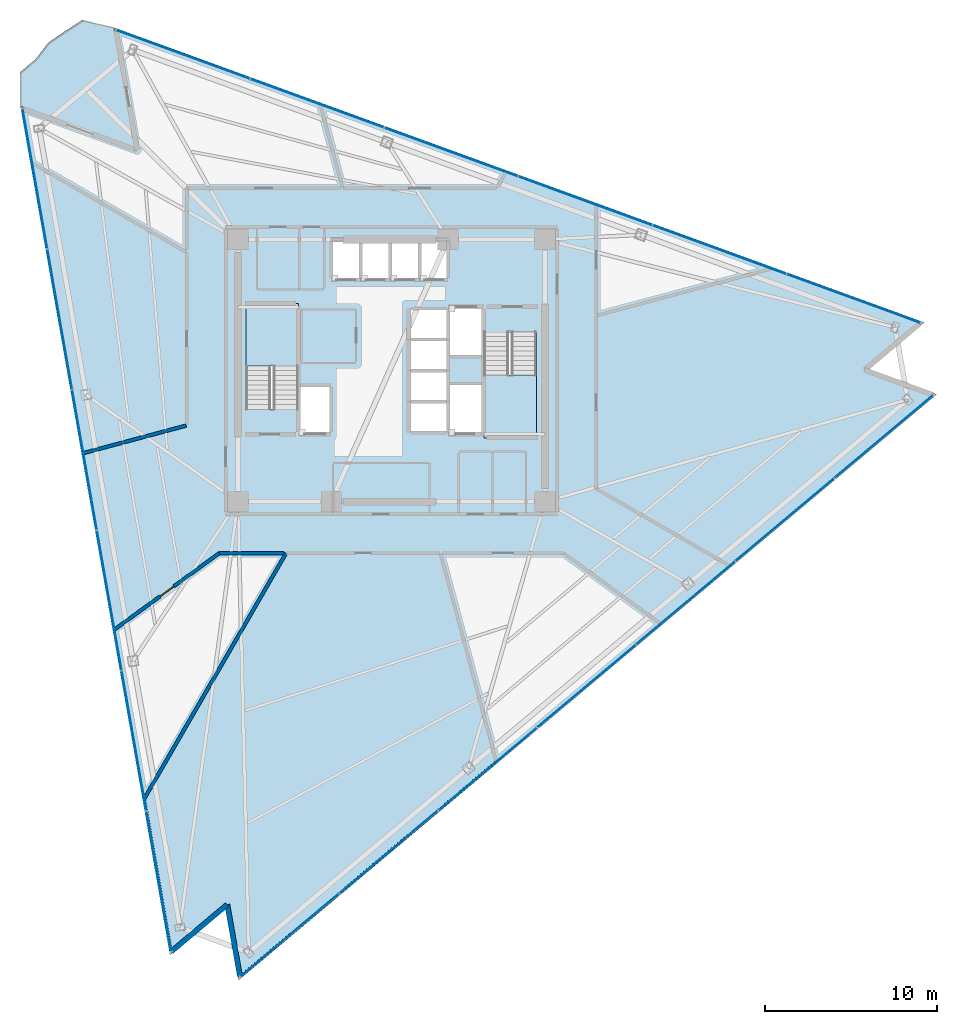
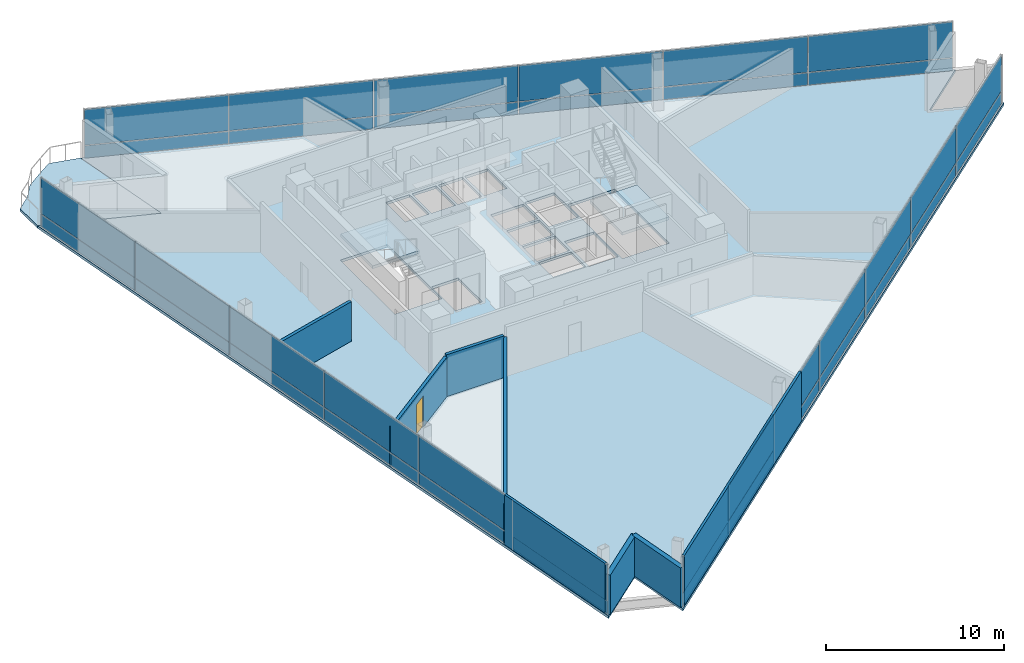
# One storey, part 9 of 15: 38 plates, 8 walls, 4 slabs, 1 door, 1 opening, 5 elements without a shape of their own.
"""IFC4 building model written with IfcOpenShell, lengths in metres."""

import ifcopenshell
import ifcopenshell.guid

model = None  # the IFC model being written
_history = None  # IfcOwnerHistory: only IFC2X3 demands one
_inside = {}  # id of a spatial element -> (the spatial element, [elements in it])
_under = {}  # id of a project, library or spatial element -> (it, [spatial elements below it])
_declared = {}  # id of a project -> (the project, [libraries it declares])
_typed = {}  # id of a type object -> (the type object, [elements of that type])
_made_of = {}  # id of a material, layer set ... -> (it, [elements and type objects made of it])


def new_model(schema):
    """Start an empty IFC model of exactly this schema.

    Asked for "IFC4X3", IfcOpenShell would pick the latest addendum, in which some entities
    have other attributes; the version numbers below select the first issue.
    IFC2X3 requires an IfcOwnerHistory on every rooted entity: one is made here for all.
    """
    global model, _history
    if schema == "IFC4X3":
        model = ifcopenshell.file(schema_version=(4, 3, 0, 0))
    else:
        model = ifcopenshell.file(schema=schema)
    _inside.clear()
    _under.clear()
    _declared.clear()
    _typed.clear()
    _made_of.clear()
    _history = None
    if model.schema == "IFC2X3":
        org = make("IfcOrganization", Name="unknown")
        user = make(
            "IfcPersonAndOrganization",
            ThePerson=make("IfcPerson", FamilyName="unknown"),
            TheOrganization=org,
        )
        app = make(
            "IfcApplication",
            ApplicationDeveloper=org,
            Version="unknown",
            ApplicationFullName="unknown",
            ApplicationIdentifier="unknown",
        )
        _history = make(
            "IfcOwnerHistory",
            OwningUser=user,
            OwningApplication=app,
            ChangeAction="ADDED",
            CreationDate=0,
        )
    return model


def make(cls, **values):
    """One entity of the class cls with the attributes given. An attribute that is None is left unset."""
    return model.create_entity(
        cls, **{name: value for name, value in values.items() if value is not None}
    )


def rooted(cls, **values):
    """An entity with a GlobalId (a new one), such as an element, a storey or a relation."""
    return make(cls, GlobalId=ifcopenshell.guid.new(), OwnerHistory=_history, **values)


def si_unit(unit_type, name, prefix=None):
    """IfcSIUnit, for example si_unit("LENGTHUNIT", "METRE", prefix="MILLI")."""
    return make("IfcSIUnit", UnitType=unit_type, Prefix=prefix, Name=name)


def assignment(units):
    """IfcUnitAssignment: the units of a project."""
    return None if units is None else make("IfcUnitAssignment", Units=units)


def point(xyz):
    """IfcCartesianPoint."""
    return None if xyz is None else make("IfcCartesianPoint", Coordinates=xyz)


def direction(xyz):
    """IfcDirection."""
    return None if xyz is None else make("IfcDirection", DirectionRatios=xyz)


def frame(location, z_axis=None, x_axis=None):
    """IfcAxis2Placement3D, a coordinate frame: its origin and axes. An axis left out is left unset."""
    return make(
        "IfcAxis2Placement3D",
        Location=point(location),
        Axis=direction(z_axis),
        RefDirection=direction(x_axis),
    )


def frame_2d(location, x_axis=None):
    """IfcAxis2Placement2D, a coordinate frame in the plane: its origin and x axis."""
    return make(
        "IfcAxis2Placement2D", Location=point(location), RefDirection=direction(x_axis)
    )


def origin():
    """The frame at (0, 0, 0) with its axes left unset."""
    return frame((0.0, 0.0, 0.0))


def origin_2d():
    """The frame at (0, 0) in the plane with its x axis left unset."""
    return frame_2d((0.0, 0.0))


def place(relative_to, where):
    """IfcLocalPlacement: puts the frame where relative to a parent placement (None: the world)."""
    return make(
        "IfcLocalPlacement", PlacementRelTo=relative_to, RelativePlacement=where
    )


def context(
    kind, dimensions, precision=None, world=None, true_north=None, identifier=None
):
    """IfcGeometricRepresentationContext, for example the 3D "Model" context."""
    return make(
        "IfcGeometricRepresentationContext",
        ContextIdentifier=identifier,
        ContextType=kind,
        CoordinateSpaceDimension=dimensions,
        Precision=precision,
        WorldCoordinateSystem=world,
        TrueNorth=true_north,
    )


def subcontext(parent, identifier, kind, view, scale=None):
    """IfcGeometricRepresentationSubContext, for example "Body" below "Model"."""
    return make(
        "IfcGeometricRepresentationSubContext",
        ContextIdentifier=identifier,
        ContextType=kind,
        ParentContext=parent,
        TargetScale=scale,
        TargetView=view,
    )


def project(units=None, contexts=None):
    """IfcProject with its units and contexts."""
    return rooted(
        "IfcProject",
        Name="project",
        RepresentationContexts=contexts,
        UnitsInContext=assignment(units),
    )


def spatial(cls, under=None, at=None, **own):
    """A site, building, storey or space (cls), placed at a placement, below another one or the project."""
    s = rooted(cls, ObjectPlacement=at, **own)
    if under is not None:
        _under.setdefault(under.id(), (under, []))[1].append(s)
    return s


def polyline(points):
    """IfcPolyline through the points."""
    return make("IfcPolyline", Points=[point(p) for p in points])


def profile(cls, at=None, kind="AREA", **sizes):
    """A parametric profile (cls). Its sizes go by their IFC names, for example OverallWidth=200.0."""
    return make(cls, ProfileType=kind, Position=at, **sizes)


def rectangle(**sizes):
    """IfcRectangleProfileDef."""
    return profile("IfcRectangleProfileDef", **sizes)


def outline(outer, holes=None, kind="AREA"):
    """IfcArbitraryClosedProfileDef: a profile drawn as a closed curve; with holes, ...WithVoids."""
    if holes is None:
        return make("IfcArbitraryClosedProfileDef", ProfileType=kind, OuterCurve=outer)
    return make(
        "IfcArbitraryProfileDefWithVoids",
        ProfileType=kind,
        OuterCurve=outer,
        InnerCurves=holes,
    )


def extrude(swept, where, along, depth):
    """IfcExtrudedAreaSolid: the profile swept, set in the frame where, extruded along a direction by depth."""
    return make(
        "IfcExtrudedAreaSolid",
        SweptArea=swept,
        Position=where,
        ExtrudedDirection=direction(along),
        Depth=depth,
    )


def shape(context_of_items, identifier, shape_type, items):
    """IfcShapeRepresentation: the items that make up one representation, for example the "Body"."""
    return make(
        "IfcShapeRepresentation",
        ContextOfItems=context_of_items,
        RepresentationIdentifier=identifier,
        RepresentationType=shape_type,
        Items=items,
    )


def material(Name=None, Category=None):
    """IfcMaterial."""
    return make("IfcMaterial", Name=Name, Category=Category)


def layer(
    of_material, thickness, ventilated=None, Name=None, Category=None, Priority=None
):
    """IfcMaterialLayer: one layer of a wall or slab, of a material (None: an air gap)."""
    return make(
        "IfcMaterialLayer",
        Material=of_material,
        LayerThickness=thickness,
        IsVentilated=ventilated,
        Name=Name,
        Category=Category,
        Priority=Priority,
    )


def layer_set(layers, Name=None):
    """IfcMaterialLayerSet."""
    return make("IfcMaterialLayerSet", MaterialLayers=layers, LayerSetName=Name)


def made_of(thing, what):
    """Note that an element or type object is made of a material, layer set ...; save() writes the relation."""
    if what is not None:
        _made_of.setdefault(what.id(), (what, []))[1].append(thing)
    return thing


def type_object(cls, material=None, **own):
    """A type object (cls), such as IfcWallType, which elements share."""
    return made_of(rooted(cls, **own), material)


def element(
    cls,
    number,
    at=None,
    inside=None,
    cuts=None,
    type_object=None,
    material=None,
    context=None,
    identifier="Body",
    shape_type=None,
    held_by="IfcProductDefinitionShape",
    body=None,
    shapes=None,
    **own,
):
    """One element of the class cls, such as IfcWall. Its Tag is "e" and its number.

    at: its placement. inside: the storey or other place that contains it. cuts: it is an
    opening in that element (IfcRelVoidsElement). A single representation is given by context,
    identifier, shape_type and body (its items); several are given by shapes. held_by: the class
    of the entity that holds the representations. save() writes the other relations.
    """
    e = rooted(cls, Tag="e%d" % number, ObjectPlacement=at, **own)
    if body is not None:
        shapes = [shape(context, identifier, shape_type, body)]
    if shapes is not None:
        e.Representation = make(held_by, Representations=shapes)
    if inside is not None:
        _inside.setdefault(inside.id(), (inside, []))[1].append(e)
    if cuts is not None:
        rooted(
            "IfcRelVoidsElement", RelatingBuildingElement=cuts, RelatedOpeningElement=e
        )
    if type_object is not None:
        _typed.setdefault(type_object.id(), (type_object, []))[1].append(e)
    return made_of(e, material)


def fill(opening, filler):
    """IfcRelFillsElement: the door or window that sits in an opening."""
    return rooted(
        "IfcRelFillsElement",
        RelatingOpeningElement=opening,
        RelatedBuildingElement=filler,
    )


def aggregate(whole, parts):
    """IfcRelAggregates: a whole, such as a stair, and the parts it consists of."""
    return rooted("IfcRelAggregates", RelatingObject=whole, RelatedObjects=parts)


def save(model, path):
    """Write the relations noted so far, then the file.

    IfcRelAggregates (storeys below a building ...), IfcRelContainedInSpatialStructure (elements
    in a storey), IfcRelDefinesByType, IfcRelAssociatesMaterial and IfcRelDeclares: one each for
    every whole, place, type object, material and project.
    """
    for whole, parts in _under.values():
        aggregate(whole, parts)
    for where, things in _inside.values():
        rooted(
            "IfcRelContainedInSpatialStructure",
            RelatedElements=things,
            RelatingStructure=where,
        )
    for kind, things in _typed.values():
        rooted("IfcRelDefinesByType", RelatedObjects=things, RelatingType=kind)
    for what, things in _made_of.values():
        rooted("IfcRelAssociatesMaterial", RelatedObjects=things, RelatingMaterial=what)
    for by, libraries in _declared.values():
        rooted("IfcRelDeclares", RelatingContext=by, RelatedDefinitions=libraries)
    model.write(path)


model = new_model("IFC4")

# Units and contexts
model_context = context("Model", 3, precision=1e-05, world=origin(), true_north=direction((0.0, 1.0)))
body_context = subcontext(model_context, "Body", "Model", "MODEL_VIEW")
ifc_project = project(units=[si_unit("LENGTHUNIT", "METRE"), si_unit("AREAUNIT", "SQUARE_METRE"), si_unit("VOLUMEUNIT", "CUBIC_METRE"), si_unit("PLANEANGLEUNIT", "RADIAN"), si_unit("MASSUNIT", "GRAM", prefix="KILO")], contexts=[model_context])

# Site, building, storey
site_placement = place(None, origin())
site = spatial("IfcSite", under=ifc_project, at=site_placement, CompositionType="ELEMENT")
building_placement = place(site_placement, origin())
building = spatial("IfcBuilding", under=site, at=building_placement, Name="Tharavind Bronze Gate", CompositionType="ELEMENT")
storey_placement = place(building_placement, frame((0.0, 0.0, 177.699951171875)))
storey = spatial("IfcBuildingStorey", under=building, at=storey_placement, Name="L45", CompositionType="ELEMENT", Elevation=177.699951171875)

# Curtain wall, plates
ifc_material_1 = material(Name="Anodised Bronze Aluminium", Category="aluminium")
ifc_layer_1 = layer(ifc_material_1, 0.219970703125)
ifc_layer_set_1 = layer_set([ifc_layer_1], Name="Anodised Bronze Aluminium")
curtain_wall_type = type_object("IfcCurtainWallType", Name="UNITISED CURTAIN WALL MID OFFICE", PredefinedType="USERDEFINED", material=ifc_layer_set_1)
curtain_wall_1_placement = place(storey_placement, origin())
curtain_wall_1 = element("IfcCurtainWall", 1, at=curtain_wall_1_placement, inside=storey, type_object=curtain_wall_type, Name="L45 unitised curtain wall mid office CW-L45-S1", ObjectType="UNITISED CURTAIN WALL", PredefinedType="USERDEFINED")
ifc_material_2 = material(Name="Patinated Bronze Alloy Sheet", Category="bronze")
ifc_layer_2 = layer(ifc_material_2, 0.01611328125)
ifc_layer_set_2 = layer_set([ifc_layer_2], Name="Patinated Bronze Alloy Sheet")
plate_type_1 = type_object("IfcPlateType", Name="BRONZE SPANDREL CLADDING PANEL 16", PredefinedType="CURTAIN_PANEL", material=ifc_layer_set_2)
plate_1_placement = place(storey_placement, frame((-20.678466796875, 11.118408203125, 0.0263671875), z_axis=(0.0, 0.0, 1.0), x_axis=(0.173648177667, -0.984807753012, 0.0)))
plate_1 = element("IfcPlate", 2, at=plate_1_placement, type_object=plate_type_1, Name="CW-L45-S1 bronze spandrel panel 1", PredefinedType="CURTAIN_PANEL", context=body_context, shape_type="SweptSolid", body=[
    extrude(rectangle(XDim=8.220458984375, YDim=0.01611328125, at=origin_2d()), origin(), (0.0, 0.0, 1.0), 0.846923828125),
])
plate_2_placement = place(storey_placement, frame((-19.24169921875, 2.970703125, 0.0263671875), z_axis=(0.0, 0.0, 1.0), x_axis=(0.173648177667, -0.984807753012, 0.0)))
plate_2 = element("IfcPlate", 3, at=plate_2_placement, type_object=plate_type_1, Name="CW-L45-S1 bronze spandrel panel 2", PredefinedType="CURTAIN_PANEL", context=body_context, shape_type="SweptSolid", body=[
    extrude(rectangle(XDim=8.220458984375, YDim=0.01611328125, at=origin_2d()), origin(), (0.0, 0.0, 1.0), 0.846923828125),
])
plate_3_placement = place(storey_placement, frame((-17.80517578125, -5.177001953125, 0.0263671875), z_axis=(0.0, 0.0, 1.0), x_axis=(0.173648177667, -0.984807753012, 0.0)))
plate_3 = element("IfcPlate", 4, at=plate_3_placement, type_object=plate_type_1, Name="CW-L45-S1 bronze spandrel panel 3", PredefinedType="CURTAIN_PANEL", context=body_context, shape_type="SweptSolid", body=[
    extrude(rectangle(XDim=8.220458984375, YDim=0.01611328125, at=origin_2d()), origin(), (0.0, 0.0, 1.0), 0.846923828125),
])
plate_4_placement = place(storey_placement, frame((-16.368408203125, -13.32470703125, 0.0263671875), z_axis=(0.0, 0.0, 1.0), x_axis=(0.173648177667, -0.984807753012, 0.0)))
plate_4 = element("IfcPlate", 5, at=plate_4_placement, type_object=plate_type_1, Name="CW-L45-S1 bronze spandrel panel 4", PredefinedType="CURTAIN_PANEL", context=body_context, shape_type="SweptSolid", body=[
    extrude(rectangle(XDim=8.220458984375, YDim=0.01611328125, at=origin_2d()), origin(), (0.0, 0.0, 1.0), 0.846923828125),
])
plate_5_placement = place(storey_placement, frame((-14.931884765625, -21.472412109375, 0.0263671875), z_axis=(0.0, 0.0, 1.0), x_axis=(0.173648177667, -0.984807753012, 0.0)))
plate_5 = element("IfcPlate", 6, at=plate_5_placement, type_object=plate_type_1, Name="CW-L45-S1 bronze spandrel panel 5", PredefinedType="CURTAIN_PANEL", context=body_context, shape_type="SweptSolid", body=[
    extrude(rectangle(XDim=8.220458984375, YDim=0.01611328125, at=origin_2d()), origin(), (0.0, 0.0, 1.0), 0.846923828125),
])
plate_6_placement = place(storey_placement, frame((-13.4951171875, -29.6201171875, 0.0263671875), z_axis=(0.0, 0.0, 1.0), x_axis=(0.173648177667, -0.984807753012, 0.0)))
plate_6 = element("IfcPlate", 7, at=plate_6_placement, type_object=plate_type_1, Name="CW-L45-S1 bronze spandrel panel 6", PredefinedType="CURTAIN_PANEL", context=body_context, shape_type="SweptSolid", body=[
    extrude(rectangle(XDim=8.220458984375, YDim=0.01611328125, at=origin_2d()), origin(), (0.0, 0.0, 1.0), 0.846923828125),
])

curtain_wall_2_placement = place(storey_placement, origin())
curtain_wall_2 = element("IfcCurtainWall", 8, at=curtain_wall_2_placement, inside=storey, type_object=curtain_wall_type, Name="L45 unitised curtain wall mid office CW-L45-S2", ObjectType="UNITISED CURTAIN WALL", PredefinedType="USERDEFINED")
plate_7_placement = place(storey_placement, frame((-5.913818359375, -32.737548828125, 0.0263671875), z_axis=(0.0, 0.0, 1.0), x_axis=(0.766043321242, 0.642788946685, 0.0)))
plate_7 = element("IfcPlate", 9, at=plate_7_placement, type_object=plate_type_1, Name="CW-L45-S2 bronze spandrel panel 1", PredefinedType="CURTAIN_PANEL", context=body_context, shape_type="SweptSolid", body=[
    extrude(rectangle(XDim=7.443115234375, YDim=0.01611328125, at=origin_2d()), origin(), (0.0, 0.0, 1.0), 0.846923828125),
])
plate_8_placement = place(storey_placement, frame((-0.171630859375, -27.919189453125, 0.0263671875), z_axis=(0.0, 0.0, 1.0), x_axis=(0.766043321242, 0.642788946685, 0.0)))
plate_8 = element("IfcPlate", 10, at=plate_8_placement, type_object=plate_type_1, Name="CW-L45-S2 bronze spandrel panel 2", PredefinedType="CURTAIN_PANEL", context=body_context, shape_type="SweptSolid", body=[
    extrude(rectangle(XDim=7.443115234375, YDim=0.01611328125, at=origin_2d()), origin(), (0.0, 0.0, 1.0), 0.846923828125),
])
plate_9_placement = place(storey_placement, frame((5.57080078125, -23.100830078125, 0.0263671875), z_axis=(0.0, 0.0, 1.0), x_axis=(0.766043321242, 0.642788946685, 0.0)))
plate_9 = element("IfcPlate", 11, at=plate_9_placement, type_object=plate_type_1, Name="CW-L45-S2 bronze spandrel panel 3", PredefinedType="CURTAIN_PANEL", context=body_context, shape_type="SweptSolid", body=[
    extrude(rectangle(XDim=7.443115234375, YDim=0.01611328125, at=origin_2d()), origin(), (0.0, 0.0, 1.0), 0.846923828125),
])
plate_10_placement = place(storey_placement, frame((11.31298828125, -18.282470703125, 0.0263671875), z_axis=(0.0, 0.0, 1.0), x_axis=(0.766043321242, 0.642788946685, 0.0)))
plate_10 = element("IfcPlate", 12, at=plate_10_placement, type_object=plate_type_1, Name="CW-L45-S2 bronze spandrel panel 4", PredefinedType="CURTAIN_PANEL", context=body_context, shape_type="SweptSolid", body=[
    extrude(rectangle(XDim=7.443115234375, YDim=0.01611328125, at=origin_2d()), origin(), (0.0, 0.0, 1.0), 0.846923828125),
])
plate_11_placement = place(storey_placement, frame((17.055419921875, -13.464111328125, 0.0263671875), z_axis=(0.0, 0.0, 1.0), x_axis=(0.766043321242, 0.642788946685, 0.0)))
plate_11 = element("IfcPlate", 13, at=plate_11_placement, type_object=plate_type_1, Name="CW-L45-S2 bronze spandrel panel 5", PredefinedType="CURTAIN_PANEL", context=body_context, shape_type="SweptSolid", body=[
    extrude(rectangle(XDim=7.443115234375, YDim=0.01611328125, at=origin_2d()), origin(), (0.0, 0.0, 1.0), 0.846923828125),
])
plate_12_placement = place(storey_placement, frame((22.797607421875, -8.645751953125, 0.0263671875), z_axis=(0.0, 0.0, 1.0), x_axis=(0.766043321242, 0.642788946685, 0.0)))
plate_12 = element("IfcPlate", 14, at=plate_12_placement, type_object=plate_type_1, Name="CW-L45-S2 bronze spandrel panel 6", PredefinedType="CURTAIN_PANEL", context=body_context, shape_type="SweptSolid", body=[
    extrude(rectangle(XDim=7.443115234375, YDim=0.01611328125, at=origin_2d()), origin(), (0.0, 0.0, 1.0), 0.846923828125),
])
plate_13_placement = place(storey_placement, frame((28.539794921875, -3.827392578125, 0.0263671875), z_axis=(0.0, 0.0, 1.0), x_axis=(0.766043321242, 0.642788946685, 0.0)))
plate_13 = element("IfcPlate", 15, at=plate_13_placement, type_object=plate_type_1, Name="CW-L45-S2 bronze spandrel panel 7", PredefinedType="CURTAIN_PANEL", context=body_context, shape_type="SweptSolid", body=[
    extrude(rectangle(XDim=7.443115234375, YDim=0.01611328125, at=origin_2d()), origin(), (0.0, 0.0, 1.0), 0.846923828125),
])

curtain_wall_3_placement = place(storey_placement, origin())
curtain_wall_3 = element("IfcCurtainWall", 16, at=curtain_wall_3_placement, inside=storey, type_object=curtain_wall_type, Name="L45 unitised curtain wall mid office CW-L45-S3", ObjectType="UNITISED CURTAIN WALL", PredefinedType="USERDEFINED")
plate_14_placement = place(storey_placement, frame((26.7861328125, 4.18017578125, 0.0263671875), z_axis=(0.0, 0.0, 1.0), x_axis=(-0.939692023847, 0.342021783398, 0.0)))
plate_14 = element("IfcPlate", 17, at=plate_14_placement, type_object=plate_type_1, Name="CW-L45-S3 bronze spandrel panel 1", PredefinedType="CURTAIN_PANEL", context=body_context, shape_type="SweptSolid", body=[
    extrude(rectangle(XDim=8.220458984375, YDim=0.01611328125, at=origin_2d()), origin(), (0.0, 0.0, 1.0), 0.846923828125),
])
plate_15_placement = place(storey_placement, frame((19.01171875, 7.009765625, 0.0263671875), z_axis=(0.0, 0.0, 1.0), x_axis=(-0.939692023847, 0.342021783398, 0.0)))
plate_15 = element("IfcPlate", 18, at=plate_15_placement, type_object=plate_type_1, Name="CW-L45-S3 bronze spandrel panel 2", PredefinedType="CURTAIN_PANEL", context=body_context, shape_type="SweptSolid", body=[
    extrude(rectangle(XDim=8.220458984375, YDim=0.01611328125, at=origin_2d()), origin(), (0.0, 0.0, 1.0), 0.846923828125),
])
plate_16_placement = place(storey_placement, frame((11.2373046875, 9.839599609375, 0.0263671875), z_axis=(0.0, 0.0, 1.0), x_axis=(-0.939692023847, 0.342021783398, 0.0)))
plate_16 = element("IfcPlate", 19, at=plate_16_placement, type_object=plate_type_1, Name="CW-L45-S3 bronze spandrel panel 3", PredefinedType="CURTAIN_PANEL", context=body_context, shape_type="SweptSolid", body=[
    extrude(rectangle(XDim=8.220458984375, YDim=0.01611328125, at=origin_2d()), origin(), (0.0, 0.0, 1.0), 0.846923828125),
])
plate_17_placement = place(storey_placement, frame((3.462890625, 12.669189453125, 0.0263671875), z_axis=(0.0, 0.0, 1.0), x_axis=(-0.939692023847, 0.342021783398, 0.0)))
plate_17 = element("IfcPlate", 20, at=plate_17_placement, type_object=plate_type_1, Name="CW-L45-S3 bronze spandrel panel 4", PredefinedType="CURTAIN_PANEL", context=body_context, shape_type="SweptSolid", body=[
    extrude(rectangle(XDim=8.220458984375, YDim=0.01611328125, at=origin_2d()), origin(), (0.0, 0.0, 1.0), 0.846923828125),
])
plate_18_placement = place(storey_placement, frame((-4.3115234375, 15.498779296875, 0.0263671875), z_axis=(0.0, 0.0, 1.0), x_axis=(-0.939692023847, 0.342021783398, 0.0)))
plate_18 = element("IfcPlate", 21, at=plate_18_placement, type_object=plate_type_1, Name="CW-L45-S3 bronze spandrel panel 5", PredefinedType="CURTAIN_PANEL", context=body_context, shape_type="SweptSolid", body=[
    extrude(rectangle(XDim=8.220458984375, YDim=0.01611328125, at=origin_2d()), origin(), (0.0, 0.0, 1.0), 0.846923828125),
])
plate_19_placement = place(storey_placement, frame((-12.0859375, 18.32861328125, 0.0263671875), z_axis=(0.0, 0.0, 1.0), x_axis=(-0.939692023847, 0.342021783398, 0.0)))
plate_19 = element("IfcPlate", 22, at=plate_19_placement, type_object=plate_type_1, Name="CW-L45-S3 bronze spandrel panel 6", PredefinedType="CURTAIN_PANEL", context=body_context, shape_type="SweptSolid", body=[
    extrude(rectangle(XDim=8.220458984375, YDim=0.01611328125, at=origin_2d()), origin(), (0.0, 0.0, 1.0), 0.846923828125),
])

# Slab
ifc_material_3 = material(Name="Concrete C40/50", Category="concrete")
ifc_layer_3 = layer(ifc_material_3, 0.179931640625)
ifc_layer_set_3 = layer_set([ifc_layer_3], Name="Concrete C40/50")
slab_type_1 = type_object("IfcSlabType", Name="EXTERIOR BALCONY SLAB 180", PredefinedType="FLOOR", material=ifc_layer_set_3)
slab_1_placement = place(storey_placement, frame((0.0, 0.0, -0.179931640625)))
element("IfcSlab", 23, at=slab_1_placement, inside=storey, type_object=slab_type_1, Name="L45 northeast tree balcony slab", PredefinedType="FLOOR", context=body_context, shape_type="SweptSolid", body=[
    extrude(outline(polyline([(-17.92333984375, 20.325927734375), (-18.92236328125, 19.680908203125), (-19.8984375, 19.00830078125), (-20.635009765625, 18.050537109375), (-21.5390625, 17.2919921875), (-21.525390625, 15.345458984375), (-14.872314453125, 12.924072265625), (-16.101806640625, 19.896484375), (-17.92333984375, 20.325927734375)])), origin(), (0.0, 0.0, 1.0), 0.179931640625),
])

# Stair, slab
stair_type = type_object("IfcStairType", Name="CORE HALF TURN STAIR 1450", PredefinedType="HALF_TURN_STAIR", material=ifc_material_3)
stair_1_placement = place(storey_placement, origin())
stair_1 = element("IfcStair", 24, at=stair_1_placement, inside=storey, type_object=stair_type, Name="L45 Protected Exit Stair ST1", PredefinedType="HALF_TURN_STAIR")
ifc_layer_4 = layer(ifc_material_3, 0.199951171875)
ifc_layer_set_4 = layer_set([ifc_layer_4], Name="Concrete C40/50")
slab_type_2 = type_object("IfcSlabType", Name="STAIR LANDING SLAB 200", PredefinedType="LANDING", material=ifc_layer_set_4)
slab_2_placement = place(storey_placement, frame((0.0, 0.0, 1.60009765625)))
slab_2 = element("IfcSlab", 25, at=slab_2_placement, type_object=slab_type_2, Name="ST1 landing 1", PredefinedType="LANDING", context=body_context, shape_type="SweptSolid", body=[
    extrude(outline(polyline([(-5.39990234375, 0.27001953125), (-5.39990234375, 3.89990234375), (-8.449951171875, 3.89990234375), (-8.449951171875, 0.27001953125), (-5.39990234375, 0.27001953125)])), origin(), (0.0, 0.0, 1.0), 0.199951171875),
])
aggregate(stair_1, [slab_2])

stair_2_placement = place(storey_placement, origin())
stair_2 = element("IfcStair", 26, at=stair_2_placement, inside=storey, type_object=stair_type, Name="L45 Protected Exit Stair ST2", PredefinedType="HALF_TURN_STAIR")
slab_3_placement = place(storey_placement, frame((0.0, 0.0, 1.60009765625)))
slab_3 = element("IfcSlab", 27, at=slab_3_placement, type_object=slab_type_2, Name="ST2 landing 1", PredefinedType="LANDING", context=body_context, shape_type="SweptSolid", body=[
    extrude(outline(polyline([(5.35009765625, -0.27001953125), (5.35009765625, -3.89990234375), (8.39990234375, -3.89990234375), (8.39990234375, -0.27001953125), (5.35009765625, -0.27001953125)])), origin(), (0.0, 0.0, 1.0), 0.199951171875),
])
aggregate(stair_2, [slab_3])

# Slab
ifc_layer_5 = layer(ifc_material_3, 0.179931640625)
ifc_layer_set_5 = layer_set([ifc_layer_5], Name="Concrete C40/50")
slab_type_3 = type_object("IfcSlabType", Name="STRUCTURAL FLOOR SLAB 180", PredefinedType="FLOOR", material=ifc_layer_set_5)
slab_4_placement = place(storey_placement, frame((0.0, 0.0, -0.179931640625)))
element("IfcSlab", 28, at=slab_4_placement, inside=storey, type_object=slab_type_3, Name="L45 main structural floor slab", PredefinedType="FLOOR", context=body_context, shape_type="SweptSolid", body=[
    extrude(outline(polyline([(-16.101806640625, 19.896484375), (-14.872314453125, 12.924072265625), (-21.525390625, 15.345458984375), (-12.84521484375, -33.881591796875), (-9.591064453125, -31.151123046875), (-8.853515625, -35.334716796875), (31.60791015625, -1.38330078125), (27.6162109375, 0.069580078125), (30.870361328125, 2.800048828125), (-16.101806640625, 19.896484375)]), holes=[polyline([(-5.39990234375, -2.215087890625), (-5.39990234375, 3.89990234375), (-8.449951171875, 3.89990234375), (-8.449951171875, -2.215087890625), (-5.39990234375, -2.215087890625)]), polyline([(5.35009765625, 2.215087890625), (5.35009765625, -3.89990234375), (8.39990234375, -3.89990234375), (8.39990234375, 2.215087890625), (5.35009765625, 2.215087890625)]), polyline([(-3.419921875, 5.330078125), (-1.867431640625, 5.330078125), (-1.867431640625, 7.52001953125), (-3.419921875, 7.52001953125), (-3.419921875, 5.330078125)]), polyline([(-1.70751953125, 5.330078125), (-0.155029296875, 5.330078125), (-0.155029296875, 7.52001953125), (-1.70751953125, 7.52001953125), (-1.70751953125, 5.330078125)]), polyline([(0.0048828125, 5.330078125), (1.5576171875, 5.330078125), (1.5576171875, 7.52001953125), (0.0048828125, 7.52001953125), (0.0048828125, 5.330078125)]), polyline([(1.717529296875, 5.330078125), (3.199951171875, 5.330078125), (3.199951171875, 7.52001953125), (1.717529296875, 7.52001953125), (1.717529296875, 5.330078125)]), polyline([(1.080078125, -3.52001953125), (3.199951171875, -3.52001953125), (3.199951171875, -1.8798828125), (1.080078125, -1.8798828125), (1.080078125, -3.52001953125)]), polyline([(1.080078125, -1.719970703125), (3.199951171875, -1.719970703125), (3.199951171875, -0.080078125), (1.080078125, -0.080078125), (1.080078125, -1.719970703125)]), polyline([(1.080078125, 0.080078125), (3.199951171875, 0.080078125), (3.199951171875, 1.719970703125), (1.080078125, 1.719970703125), (1.080078125, 0.080078125)]), polyline([(1.080078125, 1.8798828125), (3.199951171875, 1.8798828125), (3.199951171875, 3.52001953125), (1.080078125, 3.52001953125), (1.080078125, 1.8798828125)]), polyline([(-5.320068359375, -3.6201171875), (-3.580078125, -3.6201171875), (-3.580078125, -0.929931640625), (-5.320068359375, -0.929931640625), (-5.320068359375, -3.6201171875)]), polyline([(3.360107421875, 0.8798828125), (5.27001953125, 0.8798828125), (5.27001953125, 3.6201171875), (3.360107421875, 3.6201171875), (3.360107421875, 0.8798828125)]), polyline([(3.360107421875, -3.6201171875), (5.27001953125, -3.6201171875), (5.27001953125, -0.830078125), (3.360107421875, -0.830078125), (3.360107421875, -3.6201171875)])]), origin(), (0.0, 0.0, 1.0), 0.179931640625),
])

# Plate
ifc_material_4 = material(Name="Triple Solar Control Glazing", Category="glass")
ifc_layer_6 = layer(ifc_material_4, 0.0439453125)
ifc_layer_set_6 = layer_set([ifc_layer_6], Name="Triple Solar Control Glazing")
plate_type_2 = type_object("IfcPlateType", Name="TRIPLE GLAZED FACADE PANEL 44", PredefinedType="CURTAIN_PANEL", material=ifc_layer_set_6)
plate_20_placement = place(storey_placement, frame((-20.678466796875, 11.118408203125, 0.9267578125), z_axis=(0.0, 0.0, 1.0), x_axis=(0.173648177667, -0.984807753012, 0.0)))
plate_20 = element("IfcPlate", 29, at=plate_20_placement, type_object=plate_type_2, Name="CW-L45-S1 vision glazing panel 1", PredefinedType="CURTAIN_PANEL", context=body_context, shape_type="SweptSolid", body=[
    extrude(rectangle(XDim=8.220458984375, YDim=0.0439453125, at=origin_2d()), origin(), (0.0, 0.0, 1.0), 2.467041015625),
])

plate_21_placement = place(storey_placement, frame((-19.24169921875, 2.970703125, 0.9267578125), z_axis=(0.0, 0.0, 1.0), x_axis=(0.173648177667, -0.984807753012, 0.0)))
plate_21 = element("IfcPlate", 30, at=plate_21_placement, type_object=plate_type_2, Name="CW-L45-S1 vision glazing panel 2", PredefinedType="CURTAIN_PANEL", context=body_context, shape_type="SweptSolid", body=[
    extrude(rectangle(XDim=8.220458984375, YDim=0.0439453125, at=origin_2d()), origin(), (0.0, 0.0, 1.0), 2.467041015625),
])

plate_22_placement = place(storey_placement, frame((-17.80517578125, -5.177001953125, 0.9267578125), z_axis=(0.0, 0.0, 1.0), x_axis=(0.173648177667, -0.984807753012, 0.0)))
plate_22 = element("IfcPlate", 31, at=plate_22_placement, type_object=plate_type_2, Name="CW-L45-S1 vision glazing panel 3", PredefinedType="CURTAIN_PANEL", context=body_context, shape_type="SweptSolid", body=[
    extrude(rectangle(XDim=8.220458984375, YDim=0.0439453125, at=origin_2d()), origin(), (0.0, 0.0, 1.0), 2.467041015625),
])

plate_23_placement = place(storey_placement, frame((-16.368408203125, -13.32470703125, 0.9267578125), z_axis=(0.0, 0.0, 1.0), x_axis=(0.173648177667, -0.984807753012, 0.0)))
plate_23 = element("IfcPlate", 32, at=plate_23_placement, type_object=plate_type_2, Name="CW-L45-S1 vision glazing panel 4", PredefinedType="CURTAIN_PANEL", context=body_context, shape_type="SweptSolid", body=[
    extrude(rectangle(XDim=8.220458984375, YDim=0.0439453125, at=origin_2d()), origin(), (0.0, 0.0, 1.0), 2.467041015625),
])

plate_24_placement = place(storey_placement, frame((-14.931884765625, -21.472412109375, 0.9267578125), z_axis=(0.0, 0.0, 1.0), x_axis=(0.173648177667, -0.984807753012, 0.0)))
plate_24 = element("IfcPlate", 33, at=plate_24_placement, type_object=plate_type_2, Name="CW-L45-S1 vision glazing panel 5", PredefinedType="CURTAIN_PANEL", context=body_context, shape_type="SweptSolid", body=[
    extrude(rectangle(XDim=8.220458984375, YDim=0.0439453125, at=origin_2d()), origin(), (0.0, 0.0, 1.0), 2.467041015625),
])

plate_25_placement = place(storey_placement, frame((-13.4951171875, -29.6201171875, 0.9267578125), z_axis=(0.0, 0.0, 1.0), x_axis=(0.173648177667, -0.984807753012, 0.0)))
plate_25 = element("IfcPlate", 34, at=plate_25_placement, type_object=plate_type_2, Name="CW-L45-S1 vision glazing panel 6", PredefinedType="CURTAIN_PANEL", context=body_context, shape_type="SweptSolid", body=[
    extrude(rectangle(XDim=8.220458984375, YDim=0.0439453125, at=origin_2d()), origin(), (0.0, 0.0, 1.0), 2.467041015625),
])

aggregate(curtain_wall_1, [plate_1, plate_20, plate_2, plate_21, plate_3, plate_22, plate_4, plate_23, plate_5, plate_24, plate_6, plate_25])

plate_26_placement = place(storey_placement, frame((-5.913818359375, -32.737548828125, 0.9267578125), z_axis=(0.0, 0.0, 1.0), x_axis=(0.766043321242, 0.642788946685, 0.0)))
plate_26 = element("IfcPlate", 35, at=plate_26_placement, type_object=plate_type_2, Name="CW-L45-S2 vision glazing panel 1", PredefinedType="CURTAIN_PANEL", context=body_context, shape_type="SweptSolid", body=[
    extrude(rectangle(XDim=7.443115234375, YDim=0.0439453125, at=origin_2d()), origin(), (0.0, 0.0, 1.0), 2.467041015625),
])

plate_27_placement = place(storey_placement, frame((-0.171630859375, -27.919189453125, 0.9267578125), z_axis=(0.0, 0.0, 1.0), x_axis=(0.766043321242, 0.642788946685, 0.0)))
plate_27 = element("IfcPlate", 36, at=plate_27_placement, type_object=plate_type_2, Name="CW-L45-S2 vision glazing panel 2", PredefinedType="CURTAIN_PANEL", context=body_context, shape_type="SweptSolid", body=[
    extrude(rectangle(XDim=7.443115234375, YDim=0.0439453125, at=origin_2d()), origin(), (0.0, 0.0, 1.0), 2.467041015625),
])

plate_28_placement = place(storey_placement, frame((5.57080078125, -23.100830078125, 0.9267578125), z_axis=(0.0, 0.0, 1.0), x_axis=(0.766043321242, 0.642788946685, 0.0)))
plate_28 = element("IfcPlate", 37, at=plate_28_placement, type_object=plate_type_2, Name="CW-L45-S2 vision glazing panel 3", PredefinedType="CURTAIN_PANEL", context=body_context, shape_type="SweptSolid", body=[
    extrude(rectangle(XDim=7.443115234375, YDim=0.0439453125, at=origin_2d()), origin(), (0.0, 0.0, 1.0), 2.467041015625),
])

plate_29_placement = place(storey_placement, frame((11.31298828125, -18.282470703125, 0.9267578125), z_axis=(0.0, 0.0, 1.0), x_axis=(0.766043321242, 0.642788946685, 0.0)))
plate_29 = element("IfcPlate", 38, at=plate_29_placement, type_object=plate_type_2, Name="CW-L45-S2 vision glazing panel 4", PredefinedType="CURTAIN_PANEL", context=body_context, shape_type="SweptSolid", body=[
    extrude(rectangle(XDim=7.443115234375, YDim=0.0439453125, at=origin_2d()), origin(), (0.0, 0.0, 1.0), 2.467041015625),
])

plate_30_placement = place(storey_placement, frame((17.055419921875, -13.464111328125, 0.9267578125), z_axis=(0.0, 0.0, 1.0), x_axis=(0.766043321242, 0.642788946685, 0.0)))
plate_30 = element("IfcPlate", 39, at=plate_30_placement, type_object=plate_type_2, Name="CW-L45-S2 vision glazing panel 5", PredefinedType="CURTAIN_PANEL", context=body_context, shape_type="SweptSolid", body=[
    extrude(rectangle(XDim=7.443115234375, YDim=0.0439453125, at=origin_2d()), origin(), (0.0, 0.0, 1.0), 2.467041015625),
])

plate_31_placement = place(storey_placement, frame((22.797607421875, -8.645751953125, 0.9267578125), z_axis=(0.0, 0.0, 1.0), x_axis=(0.766043321242, 0.642788946685, 0.0)))
plate_31 = element("IfcPlate", 40, at=plate_31_placement, type_object=plate_type_2, Name="CW-L45-S2 vision glazing panel 6", PredefinedType="CURTAIN_PANEL", context=body_context, shape_type="SweptSolid", body=[
    extrude(rectangle(XDim=7.443115234375, YDim=0.0439453125, at=origin_2d()), origin(), (0.0, 0.0, 1.0), 2.467041015625),
])

plate_32_placement = place(storey_placement, frame((28.539794921875, -3.827392578125, 0.9267578125), z_axis=(0.0, 0.0, 1.0), x_axis=(0.766043321242, 0.642788946685, 0.0)))
plate_32 = element("IfcPlate", 41, at=plate_32_placement, type_object=plate_type_2, Name="CW-L45-S2 vision glazing panel 7", PredefinedType="CURTAIN_PANEL", context=body_context, shape_type="SweptSolid", body=[
    extrude(rectangle(XDim=7.443115234375, YDim=0.0439453125, at=origin_2d()), origin(), (0.0, 0.0, 1.0), 2.467041015625),
])

aggregate(curtain_wall_2, [plate_7, plate_26, plate_8, plate_27, plate_9, plate_28, plate_10, plate_29, plate_11, plate_30, plate_12, plate_31, plate_13, plate_32])

plate_33_placement = place(storey_placement, frame((26.7861328125, 4.18017578125, 0.9267578125), z_axis=(0.0, 0.0, 1.0), x_axis=(-0.939692023847, 0.342021783398, 0.0)))
plate_33 = element("IfcPlate", 42, at=plate_33_placement, type_object=plate_type_2, Name="CW-L45-S3 vision glazing panel 1", PredefinedType="CURTAIN_PANEL", context=body_context, shape_type="SweptSolid", body=[
    extrude(rectangle(XDim=8.220458984375, YDim=0.0439453125, at=origin_2d()), origin(), (0.0, 0.0, 1.0), 2.467041015625),
])

plate_34_placement = place(storey_placement, frame((19.01171875, 7.009765625, 0.9267578125), z_axis=(0.0, 0.0, 1.0), x_axis=(-0.939692023847, 0.342021783398, 0.0)))
plate_34 = element("IfcPlate", 43, at=plate_34_placement, type_object=plate_type_2, Name="CW-L45-S3 vision glazing panel 2", PredefinedType="CURTAIN_PANEL", context=body_context, shape_type="SweptSolid", body=[
    extrude(rectangle(XDim=8.220458984375, YDim=0.0439453125, at=origin_2d()), origin(), (0.0, 0.0, 1.0), 2.467041015625),
])

plate_35_placement = place(storey_placement, frame((11.2373046875, 9.839599609375, 0.9267578125), z_axis=(0.0, 0.0, 1.0), x_axis=(-0.939692023847, 0.342021783398, 0.0)))
plate_35 = element("IfcPlate", 44, at=plate_35_placement, type_object=plate_type_2, Name="CW-L45-S3 vision glazing panel 3", PredefinedType="CURTAIN_PANEL", context=body_context, shape_type="SweptSolid", body=[
    extrude(rectangle(XDim=8.220458984375, YDim=0.0439453125, at=origin_2d()), origin(), (0.0, 0.0, 1.0), 2.467041015625),
])

plate_36_placement = place(storey_placement, frame((3.462890625, 12.669189453125, 0.9267578125), z_axis=(0.0, 0.0, 1.0), x_axis=(-0.939692023847, 0.342021783398, 0.0)))
plate_36 = element("IfcPlate", 45, at=plate_36_placement, type_object=plate_type_2, Name="CW-L45-S3 vision glazing panel 4", PredefinedType="CURTAIN_PANEL", context=body_context, shape_type="SweptSolid", body=[
    extrude(rectangle(XDim=8.220458984375, YDim=0.0439453125, at=origin_2d()), origin(), (0.0, 0.0, 1.0), 2.467041015625),
])

plate_37_placement = place(storey_placement, frame((-4.3115234375, 15.498779296875, 0.9267578125), z_axis=(0.0, 0.0, 1.0), x_axis=(-0.939692023847, 0.342021783398, 0.0)))
plate_37 = element("IfcPlate", 46, at=plate_37_placement, type_object=plate_type_2, Name="CW-L45-S3 vision glazing panel 5", PredefinedType="CURTAIN_PANEL", context=body_context, shape_type="SweptSolid", body=[
    extrude(rectangle(XDim=8.220458984375, YDim=0.0439453125, at=origin_2d()), origin(), (0.0, 0.0, 1.0), 2.467041015625),
])

plate_38_placement = place(storey_placement, frame((-12.0859375, 18.32861328125, 0.9267578125), z_axis=(0.0, 0.0, 1.0), x_axis=(-0.939692023847, 0.342021783398, 0.0)))
plate_38 = element("IfcPlate", 47, at=plate_38_placement, type_object=plate_type_2, Name="CW-L45-S3 vision glazing panel 6", PredefinedType="CURTAIN_PANEL", context=body_context, shape_type="SweptSolid", body=[
    extrude(rectangle(XDim=8.220458984375, YDim=0.0439453125, at=origin_2d()), origin(), (0.0, 0.0, 1.0), 2.467041015625),
])

aggregate(curtain_wall_3, [plate_14, plate_33, plate_15, plate_34, plate_16, plate_35, plate_17, plate_36, plate_18, plate_37, plate_19, plate_38])

# Walls
ifc_layer_7 = layer(ifc_material_3, 0.300048828125)
ifc_layer_set_7 = layer_set([ifc_layer_7], Name="Concrete C40/50")
wall_type_1 = type_object("IfcWallType", Name="EXTERIOR SPANDREL WALL 300", PredefinedType="STANDARD", material=ifc_layer_set_7)
for number, where, z_axis, x_axis, name in (
    (48, (-12.77685546875, -33.69384765625, 0.0), (0.0, 0.0, 1.0), (0.766026302848, 0.6428092278, 0.0), "L45 notch cheek wall 2A"),
    (49, (-9.522705078125, -30.963134765625, 0.0), (0.0, 0.0, 1.0), (0.173673864443, -0.984803223395, 0.0), "L45 notch cheek wall 2B"),
):
    element("IfcWall", number, at=place(storey_placement, frame(where, z_axis=z_axis, x_axis=x_axis)), inside=storey, type_object=wall_type_1, Name=name, PredefinedType="STANDARD", context=body_context, shape_type="SweptSolid", body=[
        extrude(rectangle(XDim=4.248046875, YDim=0.300048828125, at=frame_2d((2.1240234375, 0.0))), origin(), (0.0, 0.0, 1.0), 2.715087890625),
    ])
ifc_material_5 = material(Name="Aerated Concrete Block", Category="concrete")
ifc_layer_8 = layer(ifc_material_5, 0.199951171875)
ifc_layer_set_8 = layer_set([ifc_layer_8], Name="Aerated Concrete Block")
wall_type_2 = type_object("IfcWallType", Name="FIRE RATED PARTITION 200", PredefinedType="PARTITIONING", material=ifc_layer_set_8)
wall_1_placement = place(storey_placement, frame((-11.8984375, -3.188232421875, 0.0), z_axis=(0.0, 0.0, 1.0), x_axis=(-0.965934250079, -0.258787605045, 0.0)))
element("IfcWall", 50, at=wall_1_placement, inside=storey, type_object=wall_type_2, Name="L45 Public Restrooms Block partition", PredefinedType="PARTITIONING", context=body_context, shape_type="SweptSolid", body=[
    extrude(rectangle(XDim=6.158447265625, YDim=0.199951171875, at=frame_2d((3.0791015625, 0.0))), origin(), (0.0, 0.0, 1.0), 2.715087890625),
])
wall_2_placement = place(storey_placement, frame((-14.334228515625, -24.82763671875, 0.0), z_axis=(0.0, 0.0, 1.0), x_axis=(0.500004877517, 0.866022587731, 0.0)))
element("IfcWall", 51, at=wall_2_placement, inside=storey, type_object=wall_type_2, Name="L45 Public Restrooms Block partition", PredefinedType="PARTITIONING", context=body_context, shape_type="SweptSolid", body=[
    extrude(rectangle(XDim=16.437255859375, YDim=0.199951171875, at=frame_2d((8.21875, 0.0))), origin(), (0.0, 0.0, 1.0), 2.715087890625),
])

# Wall, opening, door
wall_3_placement = place(storey_placement, frame((-16.06884765625, -15.023681640625, 0.0), z_axis=(0.0, 0.0, 1.0), x_axis=(0.807835167635, 0.589408467815, 0.0)))
wall_3 = element("IfcWall", 52, at=wall_3_placement, inside=storey, type_object=wall_type_2, Name="L45 Claims Open Office partition", PredefinedType="PARTITIONING", context=body_context, shape_type="SweptSolid", body=[
    extrude(rectangle(XDim=7.53125, YDim=0.199951171875, at=frame_2d((3.765625, 0.0))), origin(), (0.0, 0.0, 1.0), 2.715087890625),
])
opening_placement = place(wall_3_placement, frame((3.26611328125, 0.0, 0.0)))
opening = element("IfcOpeningElement", 53, at=opening_placement, cuts=wall_3, Name="Opening ID04", PredefinedType="OPENING", context=body_context, shape_type="SweptSolid", body=[
    extrude(rectangle(XDim=1.0, YDim=2.14990234375, at=frame_2d((0.5, 1.074951171875))), frame((0.0, 0.11009765625, 0.0), z_axis=(0.0, -1.0, 0.0), x_axis=(1.0, 0.0, 0.0)), (0.0, 0.0, 1.0), 0.219951171875),
])
ifc_material_6 = material(Name="Bronze Framed Acoustic Timber", Category="wood")
door_type = type_object("IfcDoorType", Name="OFFICE TENANCY DOOR 1000X2150", OperationType="SINGLE_SWING_RIGHT", PredefinedType="DOOR", material=ifc_material_6)
door_placement = place(opening_placement, origin())
door = element("IfcDoor", 54, at=door_placement, inside=storey, type_object=door_type, Name="L45 Claims Open Office door", OperationType="SINGLE_SWING_RIGHT", OverallHeight=2.14990234375, OverallWidth=1.0, PredefinedType="DOOR", context=body_context, shape_type="SweptSolid", body=[
    extrude(rectangle(XDim=1.0, YDim=2.14990234375, at=frame_2d((0.5, 1.074951171875))), frame((0.0, 0.02490234375, 0.0), z_axis=(0.0, -1.0, 0.0), x_axis=(1.0, 0.0, 0.0)), (0.0, 0.0, 1.0), 0.050048828125),
])
fill(opening, door)

# Walls
wall_4_placement = place(storey_placement, frame((-9.969970703125, -10.580078125, 0.0), z_axis=(0.0, 0.0, 1.0), x_axis=(1.0, 0.0, 0.0)))
element("IfcWall", 55, at=wall_4_placement, inside=storey, type_object=wall_type_2, Name="L45 Claims Open Office partition", PredefinedType="PARTITIONING", context=body_context, shape_type="SweptSolid", body=[
    extrude(rectangle(XDim=3.740478515625, YDim=0.199951171875, at=frame_2d((1.8701171875, 0.0))), origin(), (0.0, 0.0, 1.0), 2.864990234375),
])
ifc_material_7 = material(Name="Twin Stud Acoustic Gypsum", Category="gypsum")
ifc_layer_9 = layer(ifc_material_7, 0.14990234375)
ifc_layer_set_9 = layer_set([ifc_layer_9], Name="Twin Stud Acoustic Gypsum")
wall_type_3 = type_object("IfcWallType", Name="INTERIOR PARTITION WALL 150", PredefinedType="PARTITIONING", material=ifc_layer_set_9)
wall_5_placement = place(storey_placement, frame((-12.807861328125, -33.517578125, 0.0), z_axis=(0.0, 0.0, 1.0), x_axis=(-0.173647747775, 0.984807828814, 0.0)))
element("IfcWall", 56, at=wall_5_placement, inside=storey, type_object=wall_type_3, Name="L45 Public Restrooms Block partition", PredefinedType="PARTITIONING", context=body_context, shape_type="SweptSolid", body=[
    extrude(rectangle(XDim=8.806884765625, YDim=0.14990234375, at=frame_2d((4.4033203125, 0.0))), origin(), (0.0, 0.0, 1.0), 3.420166015625),
])
wall_6_placement = place(storey_placement, frame((6.06396484375, -22.68701171875, 0.0), z_axis=(0.0, 0.0, 1.0), x_axis=(-0.766045343091, -0.64278653714, 0.0)))
element("IfcWall", 57, at=wall_6_placement, inside=storey, type_object=wall_type_3, Name="L45 Public Restrooms Block partition", PredefinedType="PARTITIONING", context=body_context, shape_type="SweptSolid", body=[
    extrude(rectangle(XDim=19.205078125, YDim=0.14990234375, at=frame_2d((9.6025390625, 0.0))), origin(), (0.0, 0.0, 1.0), 3.420166015625),
])

save(model, "model.ifc")
